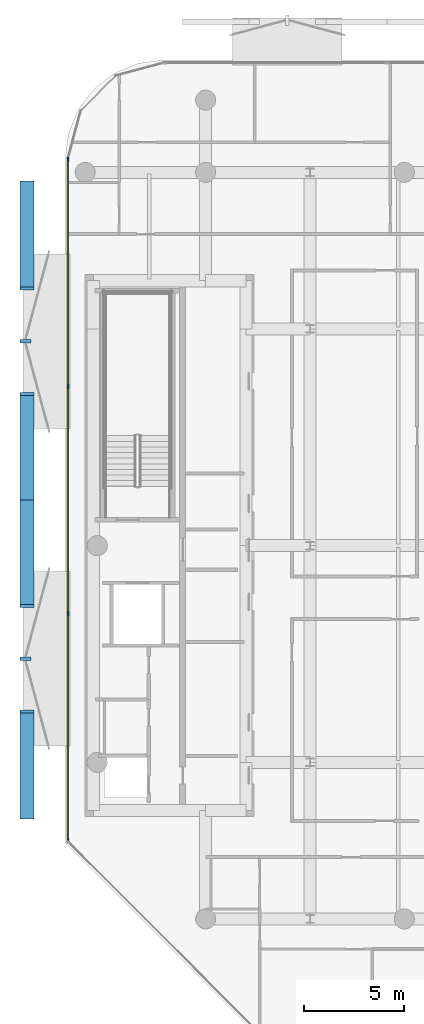
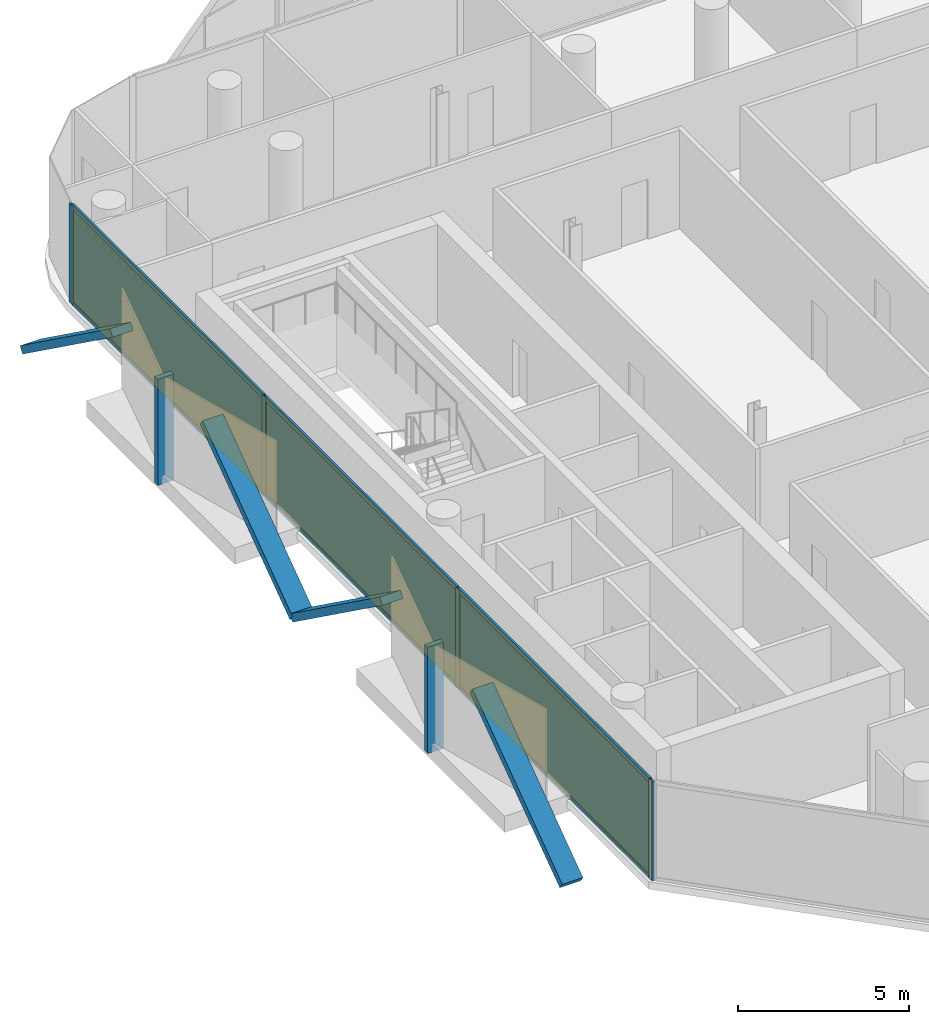
# One storey, part 9 of 16: 16 members, 3 plates, 1 curtain wall.
"""IFC4 building model written with IfcOpenShell, lengths in metres."""

from ifc_helpers import new_model, si_unit, direction, frame, frame_2d, origin, origin_2d, place, context, subcontext, project, spatial, rectangle, extrude, material, layer, layer_set, material_profile, profile_set, type_object, element, aggregate, save


model = new_model("IFC4")

# Units and contexts
model_context = context("Model", 3, precision=1e-05, world=origin(), true_north=direction((0.0, 1.0)))
body_context = subcontext(model_context, "Body", "Model", "MODEL_VIEW")
ifc_project = project(units=[si_unit("LENGTHUNIT", "METRE"), si_unit("AREAUNIT", "SQUARE_METRE"), si_unit("VOLUMEUNIT", "CUBIC_METRE"), si_unit("PLANEANGLEUNIT", "RADIAN"), si_unit("MASSUNIT", "GRAM", prefix="KILO")], contexts=[model_context])

# Member
ifc_material_1 = material(Name="Anodised Bronze Aluminium 6063-T6", Category="aluminium")
ifc_material_profile_1 = material_profile(ifc_material_1, rectangle(XDim=0.260009765625, YDim=0.699951171875, at=origin_2d()))
ifc_profile_set_1 = profile_set([ifc_material_profile_1], Name="Anodised Bronze Aluminium 6063-T6")
member_type_1 = type_object("IfcMemberType", Name="Bronze Diamond Solar-Screen Lattice Rib BDL-700", PredefinedType="MULLION", material=ifc_profile_set_1)
site_placement = place(None, origin())
building_placement = place(site_placement, origin())
storey_placement = place(building_placement, frame((0.0, 0.0, 311.800048828125)))
member_1_placement = place(storey_placement, frame((-23.300048828125, -13.5419921875, -0.130126953125), z_axis=(0.0, 0.811225694485, 0.584733163595), x_axis=(0.0, -0.584733163595, 0.811225694485)))
member_1 = element("IfcMember", 1, at=member_1_placement, type_object=member_type_1, Name="L75 Bronze Diamond Solar Screen Lattice Rib 528A", PredefinedType="MULLION", context=body_context, shape_type="SweptSolid", body=[
    extrude(rectangle(XDim=0.260009765625, YDim=0.699951171875, at=origin_2d()), origin(), (0.0, 0.0, 1.0), 6.498779296875),
])

member_2_placement = place(storey_placement, frame((-23.300048828125, 2.2744140625, -0.130126953125), z_axis=(0.0, -0.8112385386, 0.584715343983), x_axis=(0.0, 0.584715343983, 0.8112385386)))
member_2 = element("IfcMember", 2, at=member_2_placement, type_object=member_type_1, Name="L75 Bronze Diamond Solar Screen Lattice Rib 528B", PredefinedType="MULLION", context=body_context, shape_type="SweptSolid", body=[
    extrude(rectangle(XDim=0.260009765625, YDim=0.699951171875, at=origin_2d()), origin(), (0.0, 0.0, 1.0), 6.4990234375),
])

member_3_placement = place(storey_placement, frame((-23.300048828125, 2.2744140625, -0.130126953125), z_axis=(0.0, 0.811225694485, 0.584733163595), x_axis=(0.0, -0.584733163595, 0.811225694485)))
member_3 = element("IfcMember", 3, at=member_3_placement, type_object=member_type_1, Name="L75 Bronze Diamond Solar Screen Lattice Rib 529A", PredefinedType="MULLION", context=body_context, shape_type="SweptSolid", body=[
    extrude(rectangle(XDim=0.260009765625, YDim=0.699951171875, at=origin_2d()), origin(), (0.0, 0.0, 1.0), 6.498779296875),
])

member_4_placement = place(storey_placement, frame((-23.300048828125, 18.0908203125, -0.130126953125), z_axis=(0.0, -0.8112385386, 0.584715343983), x_axis=(0.0, 0.584715343983, 0.8112385386)))
member_4 = element("IfcMember", 4, at=member_4_placement, type_object=member_type_1, Name="L75 Bronze Diamond Solar Screen Lattice Rib 529B", PredefinedType="MULLION", context=body_context, shape_type="SweptSolid", body=[
    extrude(rectangle(XDim=0.260009765625, YDim=0.699951171875, at=origin_2d()), origin(), (0.0, 0.0, 1.0), 6.4990234375),
])

ifc_material_2 = material(Name="Anodised Bronze Aluminium 6063-T6", Category="aluminium")
ifc_material_profile_2 = material_profile(ifc_material_2, rectangle(XDim=0.179931640625, YDim=0.5400390625, at=origin_2d()))
ifc_profile_set_2 = profile_set([ifc_material_profile_2], Name="Anodised Bronze Aluminium 6063-T6")
member_type_2 = type_object("IfcMemberType", Name="Bronze Solar-Screen Vertical Fold Fin BSF-540", PredefinedType="MULLION", material=ifc_profile_set_2)
member_5_placement = place(storey_placement, frame((-23.3798828125, -5.6337890625, -0.130126953125), z_axis=(0.0, 0.0, 1.0), x_axis=(0.0, 1.0, 0.0)))
member_5 = element("IfcMember", 5, at=member_5_placement, type_object=member_type_2, Name="L75 Bronze Solar Screen Vertical Fin 528", PredefinedType="MULLION", context=body_context, shape_type="SweptSolid", body=[
    extrude(rectangle(XDim=0.179931640625, YDim=0.5400390625, at=origin_2d()), origin(), (0.0, 0.0, 1.0), 3.800048828125),
])

member_6_placement = place(storey_placement, frame((-23.3798828125, 10.1826171875, -0.130126953125), z_axis=(0.0, 0.0, 1.0), x_axis=(0.0, 1.0, 0.0)))
member_6 = element("IfcMember", 6, at=member_6_placement, type_object=member_type_2, Name="L75 Bronze Solar Screen Vertical Fin 529", PredefinedType="MULLION", context=body_context, shape_type="SweptSolid", body=[
    extrude(rectangle(XDim=0.179931640625, YDim=0.5400390625, at=origin_2d()), origin(), (0.0, 0.0, 1.0), 3.800048828125),
])

ifc_material_3 = material(Name="Anodised Bronze Aluminium 6063-T6", Category="aluminium")
ifc_material_profile_3 = material_profile(ifc_material_3, rectangle(XDim=0.074951171875, YDim=0.2099609375, at=origin_2d()))
ifc_profile_set_3 = profile_set([ifc_material_profile_3], Name="Anodised Bronze Aluminium 6063-T6")
member_type_3 = type_object("IfcMemberType", Name="CW-CRN Mullion 75x210", PredefinedType="MULLION", material=ifc_profile_set_3)
member_7_placement = place(storey_placement, frame((-21.260009765625, -14.70458984375, 0.0), z_axis=(0.0, 0.0, 1.0), x_axis=(-1.0, 0.0, 0.0)))
member_7 = element("IfcMember", 7, at=member_7_placement, type_object=member_type_3, Name="CW-CRN mullion 1", PredefinedType="MULLION", context=body_context, shape_type="SweptSolid", body=[
    extrude(rectangle(XDim=0.074951171875, YDim=0.2099609375, at=origin_2d()), origin(), (0.0, 0.0, 1.0), 3.5400390625),
])

member_8_placement = place(storey_placement, frame((-21.260009765625, -3.397705078125, 0.0), z_axis=(0.0, 0.0, 1.0), x_axis=(-1.0, 0.0, 0.0)))
member_8 = element("IfcMember", 8, at=member_8_placement, type_object=member_type_3, Name="CW-CRN mullion 2", PredefinedType="MULLION", context=body_context, shape_type="SweptSolid", body=[
    extrude(rectangle(XDim=0.074951171875, YDim=0.2099609375, at=origin_2d()), origin(), (0.0, 0.0, 1.0), 3.5400390625),
])

member_9_placement = place(storey_placement, frame((-21.260009765625, 7.946533203125, 0.0), z_axis=(0.0, 0.0, 1.0), x_axis=(-1.0, 0.0, 0.0)))
member_9 = element("IfcMember", 9, at=member_9_placement, type_object=member_type_3, Name="CW-CRN mullion 3", PredefinedType="MULLION", context=body_context, shape_type="SweptSolid", body=[
    extrude(rectangle(XDim=0.074951171875, YDim=0.2099609375, at=origin_2d()), origin(), (0.0, 0.0, 1.0), 3.5400390625),
])

member_10_placement = place(storey_placement, frame((-21.260009765625, 19.25341796875, 0.0), z_axis=(0.0, 0.0, 1.0), x_axis=(-1.0, 0.0, 0.0)))
member_10 = element("IfcMember", 10, at=member_10_placement, type_object=member_type_3, Name="CW-CRN mullion 4", PredefinedType="MULLION", context=body_context, shape_type="SweptSolid", body=[
    extrude(rectangle(XDim=0.074951171875, YDim=0.2099609375, at=origin_2d()), origin(), (0.0, 0.0, 1.0), 3.5400390625),
])

ifc_material_4 = material(Name="Anodised Bronze Aluminium 6063-T6", Category="aluminium")
ifc_material_profile_4 = material_profile(ifc_material_4, rectangle(XDim=0.074951171875, YDim=0.1650390625, at=origin_2d()))
ifc_profile_set_4 = profile_set([ifc_material_profile_4], Name="Anodised Bronze Aluminium 6063-T6")
member_type_4 = type_object("IfcMemberType", Name="CW-CRN Transom 75x165", PredefinedType="USERDEFINED", material=ifc_profile_set_4)
member_11_placement = place(storey_placement, frame((-21.260009765625, -14.6669921875, 0.037353515625), z_axis=(0.0, 1.0, 0.0), x_axis=(-1.0, 0.0, 0.0)))
member_11 = element("IfcMember", 11, at=member_11_placement, type_object=member_type_4, Name="CW-CRN transom 1.1", ObjectType="TRANSOM", PredefinedType="USERDEFINED", context=body_context, shape_type="SweptSolid", body=[
    extrude(rectangle(XDim=0.074951171875, YDim=0.1650390625, at=origin_2d()), origin(), (0.0, 0.0, 1.0), 11.231689453125),
])

member_12_placement = place(storey_placement, frame((-21.260009765625, -14.6669921875, 3.50244140625), z_axis=(0.0, 1.0, 0.0), x_axis=(-1.0, 0.0, 0.0)))
member_12 = element("IfcMember", 12, at=member_12_placement, type_object=member_type_4, Name="CW-CRN transom 1.2", ObjectType="TRANSOM", PredefinedType="USERDEFINED", context=body_context, shape_type="SweptSolid", body=[
    extrude(rectangle(XDim=0.074951171875, YDim=0.1650390625, at=origin_2d()), origin(), (0.0, 0.0, 1.0), 11.231689453125),
])

member_13_placement = place(storey_placement, frame((-21.260009765625, -3.3603515625, 0.037353515625), z_axis=(0.0, 1.0, 0.0), x_axis=(-1.0, 0.0, 0.0)))
member_13 = element("IfcMember", 13, at=member_13_placement, type_object=member_type_4, Name="CW-CRN transom 2.1", ObjectType="TRANSOM", PredefinedType="USERDEFINED", context=body_context, shape_type="SweptSolid", body=[
    extrude(rectangle(XDim=0.074951171875, YDim=0.1650390625, at=origin_2d()), origin(), (0.0, 0.0, 1.0), 11.269287109375),
])

member_14_placement = place(storey_placement, frame((-21.260009765625, -3.3603515625, 3.50244140625), z_axis=(0.0, 1.0, 0.0), x_axis=(-1.0, 0.0, 0.0)))
member_14 = element("IfcMember", 14, at=member_14_placement, type_object=member_type_4, Name="CW-CRN transom 2.2", ObjectType="TRANSOM", PredefinedType="USERDEFINED", context=body_context, shape_type="SweptSolid", body=[
    extrude(rectangle(XDim=0.074951171875, YDim=0.1650390625, at=origin_2d()), origin(), (0.0, 0.0, 1.0), 11.269287109375),
])

member_15_placement = place(storey_placement, frame((-21.260009765625, 7.984130859375, 0.037353515625), z_axis=(0.0, 1.0, 0.0), x_axis=(-1.0, 0.0, 0.0)))
member_15 = element("IfcMember", 15, at=member_15_placement, type_object=member_type_4, Name="CW-CRN transom 3.1", ObjectType="TRANSOM", PredefinedType="USERDEFINED", context=body_context, shape_type="SweptSolid", body=[
    extrude(rectangle(XDim=0.074951171875, YDim=0.1650390625, at=origin_2d()), origin(), (0.0, 0.0, 1.0), 11.231689453125),
])

member_16_placement = place(storey_placement, frame((-21.260009765625, 7.984130859375, 3.50244140625), z_axis=(0.0, 1.0, 0.0), x_axis=(-1.0, 0.0, 0.0)))
member_16 = element("IfcMember", 16, at=member_16_placement, type_object=member_type_4, Name="CW-CRN transom 3.2", ObjectType="TRANSOM", PredefinedType="USERDEFINED", context=body_context, shape_type="SweptSolid", body=[
    extrude(rectangle(XDim=0.074951171875, YDim=0.1650390625, at=origin_2d()), origin(), (0.0, 0.0, 1.0), 11.231689453125),
])

# Plate
ifc_material_5 = material(Name="Low-E Solar Control Laminated Glass", Category="glass")
ifc_layer_1 = layer(ifc_material_5, 0.035888671875, Name="Low-E Solar Control Laminated Glass")
ifc_layer_set_1 = layer_set([ifc_layer_1], Name="Low-E Solar Control Laminated Glass")
plate_type = type_object("IfcPlateType", Name="CW-CRN Low-E Double Glazed Panel 36mm", PredefinedType="CURTAIN_PANEL", material=ifc_layer_set_1)
plate_1_placement = place(storey_placement, frame((-21.260009765625, -9.051025390625, 0.0751953125), z_axis=(0.0, 0.0, 1.0), x_axis=(0.0, 1.0, 0.0)))
plate_1 = element("IfcPlate", 17, at=plate_1_placement, type_object=plate_type, Name="CW-CRN panel 1.1", PredefinedType="CURTAIN_PANEL", context=body_context, shape_type="SweptSolid", body=[
    extrude(rectangle(XDim=11.231689453125, YDim=0.035888671875, at=origin_2d()), origin(), (0.0, 0.0, 1.0), 3.389892578125),
])

plate_2_placement = place(storey_placement, frame((-21.260009765625, 2.2744140625, 0.0751953125), z_axis=(0.0, 0.0, 1.0), x_axis=(0.0, 1.0, 0.0)))
plate_2 = element("IfcPlate", 18, at=plate_2_placement, type_object=plate_type, Name="CW-CRN panel 2.1", PredefinedType="CURTAIN_PANEL", context=body_context, shape_type="SweptSolid", body=[
    extrude(rectangle(XDim=11.269287109375, YDim=0.035888671875, at=origin_2d()), origin(), (0.0, 0.0, 1.0), 3.389892578125),
])

plate_3_placement = place(storey_placement, frame((-21.260009765625, 13.599853515625, 0.0751953125), z_axis=(0.0, 0.0, 1.0), x_axis=(0.0, 1.0, 0.0)))
plate_3 = element("IfcPlate", 19, at=plate_3_placement, type_object=plate_type, Name="CW-CRN panel 3.1", PredefinedType="CURTAIN_PANEL", context=body_context, shape_type="SweptSolid", body=[
    extrude(rectangle(XDim=11.231689453125, YDim=0.035888671875, at=origin_2d()), origin(), (0.0, 0.0, 1.0), 3.389892578125),
])

# Site, building, storey
site = spatial("IfcSite", under=ifc_project, at=site_placement, CompositionType="ELEMENT")
building = spatial("IfcBuilding", under=site, at=building_placement, Name="Khairoan Windgate Tower", CompositionType="ELEMENT")
storey = spatial("IfcBuildingStorey", under=building, at=storey_placement, Name="L75", CompositionType="ELEMENT", Elevation=311.800048828125)

# Curtain wall
ifc_material_6 = material(Name="Anodised Bronze Aluminium 6063-T6", Category="aluminium")
ifc_layer_2 = layer(ifc_material_6, 0.2099609375, Name="Anodised Bronze Aluminium 6063-T6")
ifc_layer_set_2 = layer_set([ifc_layer_2], Name="Anodised Bronze Aluminium 6063-T6")
curtain_wall_type = type_object("IfcCurtainWallType", Name="Crown Observation and Vitrine Curtain Wall CW-CRN", PredefinedType="NOTDEFINED", material=ifc_layer_set_2)
curtain_wall_placement = place(storey_placement, frame((-21.260009765625, -14.741943359375, 0.0), z_axis=(0.0, 0.0, 1.0), x_axis=(0.0, 1.0, 0.0)))
curtain_wall = element("IfcCurtainWall", 20, at=curtain_wall_placement, inside=storey, type_object=curtain_wall_type, Name="L75 Unitised Curtain Wall 3", PredefinedType="NOTDEFINED", context=body_context, shape_type="SweptSolid", body=[
    extrude(rectangle(XDim=34.03271484375, YDim=0.010009765625, at=frame_2d((17.016357421875, 0.0))), origin(), (0.0, 0.0, 1.0), 3.5400390625),
])

aggregate(curtain_wall, [member_7, member_8, member_9, member_10, member_11, member_12, plate_1, member_13, member_14, plate_2, member_15, member_16, plate_3, member_1, member_2, member_5, member_3, member_4, member_6])

save(model, "model.ifc")
